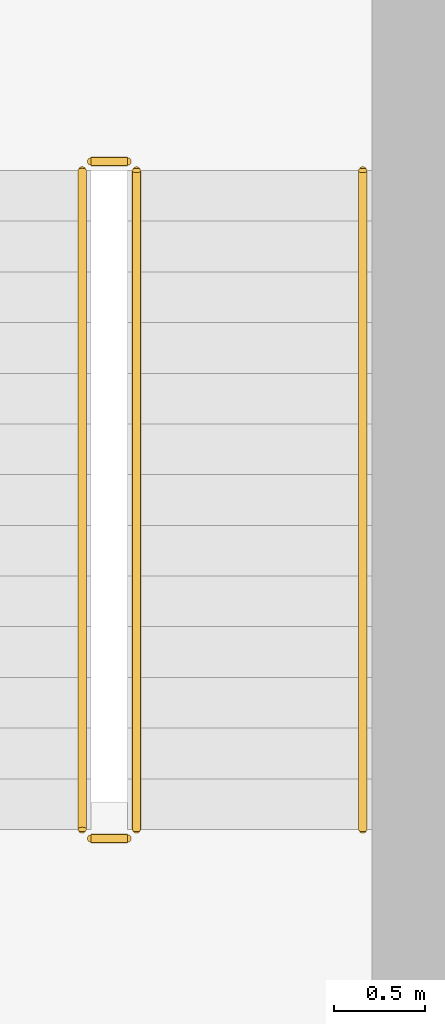
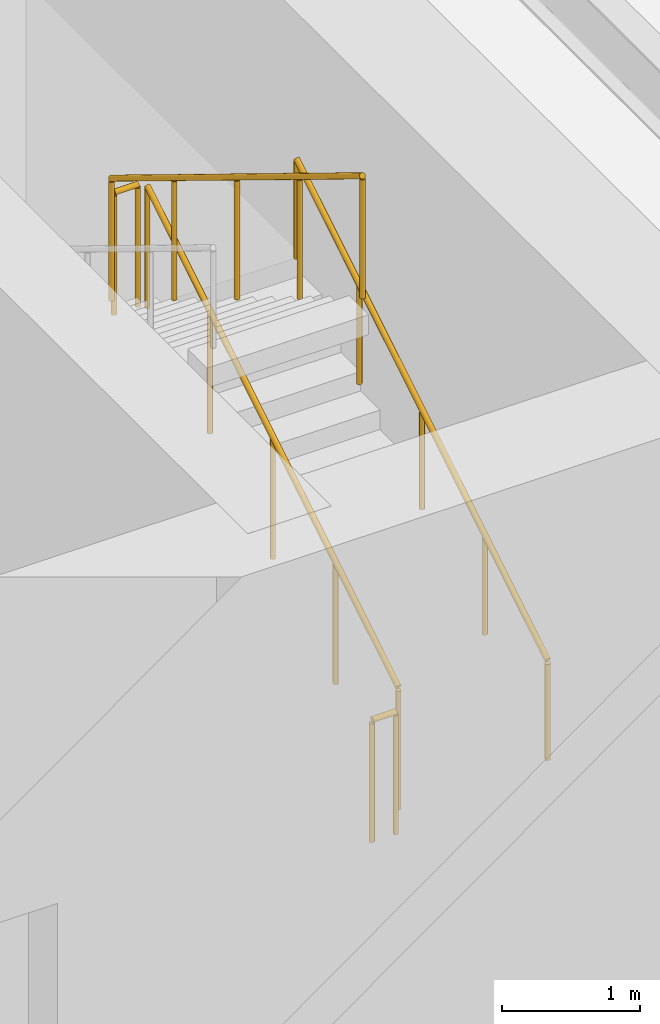
# One storey, part 14 of 14: 5 railings.
"""IFC4 building model written with IfcOpenShell, lengths in metres."""

from ifc_helpers import new_model, si_unit, direction, frame, origin, origin_2d, place, context, subcontext, project, spatial, circle, extrude, material, type_object, element, save


model = new_model("IFC4")

# Units and contexts
model_context = context("Model", 3, precision=1e-05, world=origin(), true_north=direction((0.0, 1.0)))
body_context = subcontext(model_context, "Body", "Model", "MODEL_VIEW")
ifc_project = project(units=[si_unit("LENGTHUNIT", "METRE"), si_unit("AREAUNIT", "SQUARE_METRE"), si_unit("VOLUMEUNIT", "CUBIC_METRE"), si_unit("PLANEANGLEUNIT", "RADIAN"), si_unit("MASSUNIT", "GRAM", prefix="KILO")], contexts=[model_context])

# Site, building, storey
site_placement = place(None, origin())
site = spatial("IfcSite", under=ifc_project, at=site_placement, CompositionType="ELEMENT")
building_placement = place(site_placement, origin())
building = spatial("IfcBuilding", under=site, at=building_placement, Name="Caelmar Bay Residences", CompositionType="ELEMENT")
storey_placement = place(building_placement, frame((0.0, 0.0, 15.0)))
storey = spatial("IfcBuildingStorey", under=building, at=storey_placement, Name="L03", CompositionType="ELEMENT", Elevation=15.0)

# Railings
ifc_material_1 = material(Name="Painted galvanized steel stair guard 1100 mm", Category="steel")
railing_type_1 = type_object("IfcRailingType", Name="RL-GRD-1100", PredefinedType="GUARDRAIL", material=ifc_material_1)
railing_1_placement = place(storey_placement, frame((57.85009765625, 38.699951171875, 0.17138671875)))
element("IfcRailing", 1, at=railing_1_placement, inside=storey, type_object=railing_type_1, Name="L03 ST2 stair guard 1", PredefinedType="GUARDRAIL", context=body_context, shape_type="SweptSolid", body=[
    extrude(circle(Radius=0.02392578125, at=origin_2d()), frame((0.0, 0.0, 1.076171875), z_axis=(0.0, 0.852865859571, 0.52213008492), x_axis=(-1.0, 0.0, 0.0)), (0.0, 0.0, 1.0), 4.26806640625),
    extrude(circle(Radius=0.02099609375, at=origin_2d()), origin(), (0.0, 0.0, 1.0), 1.052001953125),
    extrude(circle(Radius=0.02099609375, at=origin_2d()), frame((0.0, 0.91015625, 0.55712890625)), (0.0, 0.0, 1.0), 1.052001953125),
    extrude(circle(Radius=0.02099609375, at=origin_2d()), frame((0.0, 1.820068359375, 1.1142578125)), (0.0, 0.0, 1.0), 1.052001953125),
    extrude(circle(Radius=0.02099609375, at=origin_2d()), frame((0.0, 2.72998046875, 1.67138671875)), (0.0, 0.0, 1.0), 1.052001953125),
    extrude(circle(Radius=0.02099609375, at=origin_2d()), frame((0.0, 3.64013671875, 2.228515625)), (0.0, 0.0, 1.0), 1.052001953125),
])
railing_2_placement = place(storey_placement, frame((57.800048828125, 42.389892578125, 2.39990234375)))
element("IfcRailing", 2, at=railing_2_placement, inside=storey, type_object=railing_type_1, Name="L03 ST2 stair guard 2", PredefinedType="GUARDRAIL", context=body_context, shape_type="SweptSolid", body=[
    extrude(circle(Radius=0.02392578125, at=origin_2d()), frame((0.0, 0.0, 1.076171875), z_axis=(-1.0, 0.0, 0.0), x_axis=(0.0, -1.0, 0.0)), (0.0, 0.0, 1.0), 0.199951171875),
    extrude(circle(Radius=0.02099609375, at=origin_2d()), origin(), (0.0, 0.0, 1.0), 1.052001953125),
    extrude(circle(Radius=0.02099609375, at=origin_2d()), frame((-0.199951171875, 0.0, 0.0)), (0.0, 0.0, 1.0), 1.052001953125),
])
railing_3_placement = place(storey_placement, frame((57.550048828125, 42.340087890625, 2.571533203125)))
element("IfcRailing", 3, at=railing_3_placement, inside=storey, type_object=railing_type_1, Name="L03 ST2 stair guard 3", PredefinedType="GUARDRAIL", context=body_context, shape_type="SweptSolid", body=[
    extrude(circle(Radius=0.02392578125, at=origin_2d()), frame((0.0, 0.0, 1.076171875), z_axis=(0.0, -0.852865859571, 0.52213008492), x_axis=(1.0, 0.0, 0.0)), (0.0, 0.0, 1.0), 4.26806640625),
    extrude(circle(Radius=0.02099609375, at=origin_2d()), origin(), (0.0, 0.0, 1.0), 1.052001953125),
    extrude(circle(Radius=0.02099609375, at=origin_2d()), frame((0.0, -0.91015625, 0.55712890625)), (0.0, 0.0, 1.0), 1.052001953125),
    extrude(circle(Radius=0.02099609375, at=origin_2d()), frame((0.0, -1.820068359375, 1.1142578125)), (0.0, 0.0, 1.0), 1.052001953125),
    extrude(circle(Radius=0.02099609375, at=origin_2d()), frame((0.0, -2.72998046875, 1.67138671875)), (0.0, 0.0, 1.0), 1.052001953125),
    extrude(circle(Radius=0.02099609375, at=origin_2d()), frame((0.0, -3.64013671875, 2.228515625)), (0.0, 0.0, 1.0), 1.052001953125),
])
railing_4_placement = place(storey_placement, frame((57.800048828125, 38.64990234375, 0.0)))
element("IfcRailing", 4, at=railing_4_placement, inside=storey, type_object=railing_type_1, Name="L03 ST2 stair guard 4", PredefinedType="GUARDRAIL", context=body_context, shape_type="SweptSolid", body=[
    extrude(circle(Radius=0.02392578125, at=origin_2d()), frame((0.0, 0.0, 1.076171875), z_axis=(-1.0, 0.0, 0.0), x_axis=(0.0, -1.0, 0.0)), (0.0, 0.0, 1.0), 0.199951171875),
    extrude(circle(Radius=0.02099609375, at=origin_2d()), origin(), (0.0, 0.0, 1.0), 1.052001953125),
    extrude(circle(Radius=0.02099609375, at=origin_2d()), frame((-0.199951171875, 0.0, 0.0)), (0.0, 0.0, 1.0), 1.052001953125),
])
ifc_material_2 = material(Name="Brushed bronze stainless-steel tubular handrail 900 mm", Category="steel")
railing_type_2 = type_object("IfcRailingType", Name="RL-HND-900", PredefinedType="HANDRAIL", material=ifc_material_2)
railing_5_placement = place(storey_placement, frame((59.10009765625, 38.699951171875, 0.17138671875)))
element("IfcRailing", 5, at=railing_5_placement, inside=storey, type_object=railing_type_2, Name="L03 ST2 stair handrail 1", PredefinedType="HANDRAIL", context=body_context, shape_type="SweptSolid", body=[
    extrude(circle(Radius=0.02392578125, at=origin_2d()), frame((0.0, 0.0, 0.8759765625), z_axis=(0.0, 0.852865859571, 0.52213008492), x_axis=(-1.0, 0.0, 0.0)), (0.0, 0.0, 1.0), 4.26806640625),
    extrude(circle(Radius=0.02099609375, at=origin_2d()), origin(), (0.0, 0.0, 1.0), 0.851806640625),
    extrude(circle(Radius=0.02099609375, at=origin_2d()), frame((0.0, 0.91015625, 0.55712890625)), (0.0, 0.0, 1.0), 0.851806640625),
    extrude(circle(Radius=0.02099609375, at=origin_2d()), frame((0.0, 1.820068359375, 1.1142578125)), (0.0, 0.0, 1.0), 0.851806640625),
    extrude(circle(Radius=0.02099609375, at=origin_2d()), frame((0.0, 2.72998046875, 1.67138671875)), (0.0, 0.0, 1.0), 0.851806640625),
    extrude(circle(Radius=0.02099609375, at=origin_2d()), frame((0.0, 3.64013671875, 2.228515625)), (0.0, 0.0, 1.0), 0.851806640625),
])

save(model, "model.ifc")
